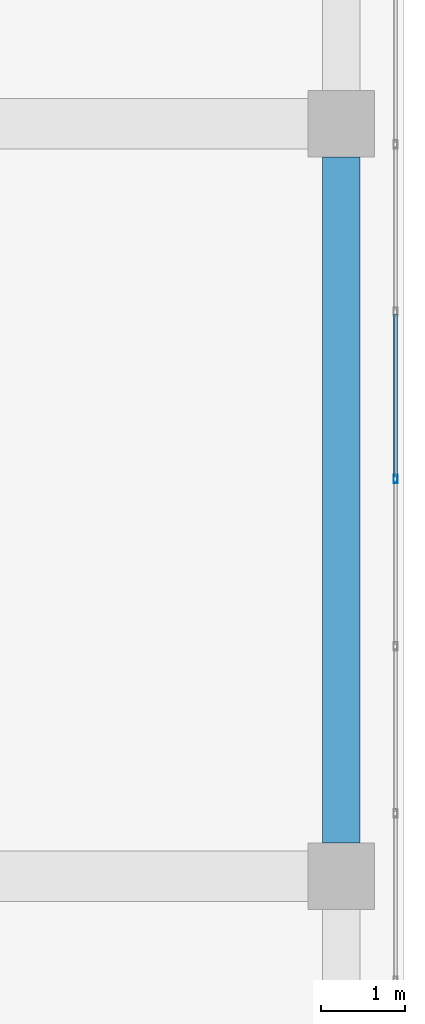
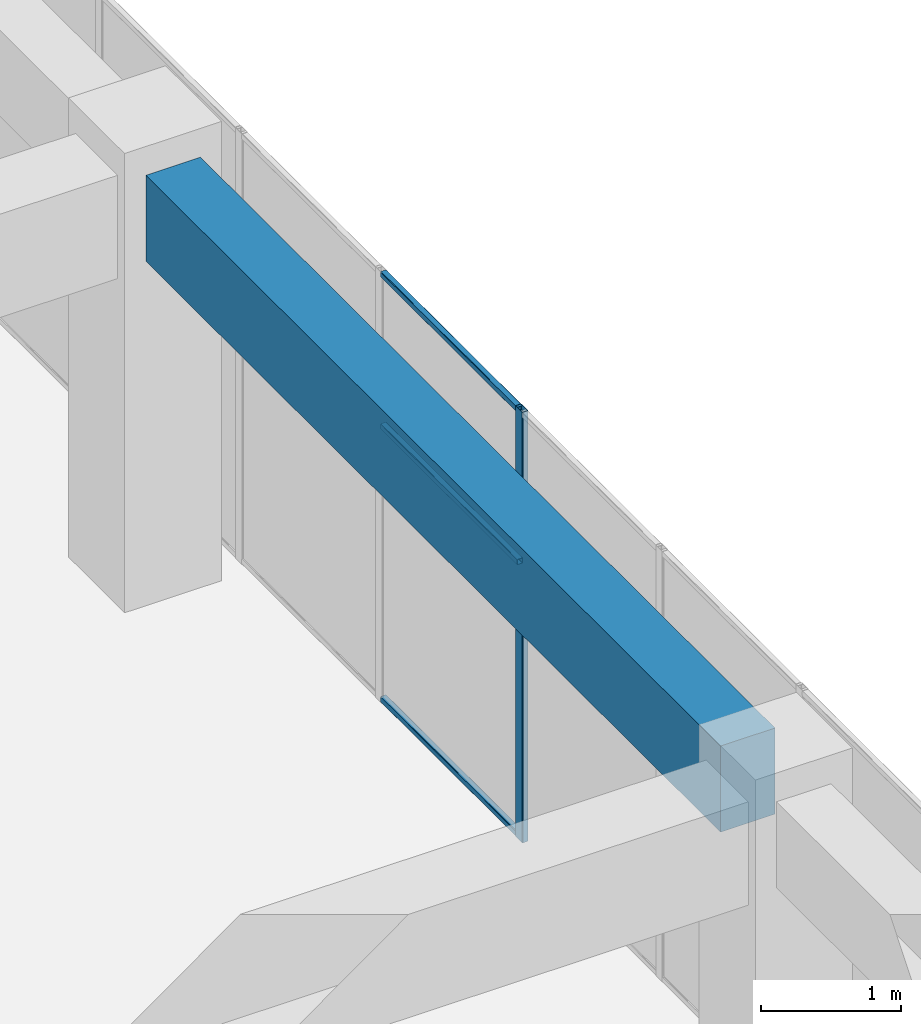
# One storey, part 42 of 66: 4 members, 1 beam, 1 element without a shape of its own.
"""IFC4 building model written with IfcOpenShell, lengths in metres."""

from ifc_helpers import new_model, si_unit, direction, frame, origin, origin_2d, place, context, subcontext, project, spatial, rectangle, hollow_rectangle, extrude, material, layer, layer_set, material_profile, profile_set, type_object, element, aggregate, save


model = new_model("IFC4")

# Units and contexts
model_context = context("Model", 3, precision=1e-05, world=origin(), true_north=direction((0.0, 1.0)))
body_context = subcontext(model_context, "Body", "Model", "MODEL_VIEW")
ifc_project = project(units=[si_unit("LENGTHUNIT", "METRE"), si_unit("AREAUNIT", "SQUARE_METRE"), si_unit("VOLUMEUNIT", "CUBIC_METRE"), si_unit("PLANEANGLEUNIT", "RADIAN"), si_unit("MASSUNIT", "GRAM", prefix="KILO")], contexts=[model_context])

# Site, building, storey
site_placement = place(None, origin())
site = spatial("IfcSite", under=ifc_project, at=site_placement, CompositionType="ELEMENT")
building_placement = place(site_placement, origin())
building = spatial("IfcBuilding", under=site, at=building_placement, Name="Tuart Plaza Theatre", CompositionType="ELEMENT")
storey_placement = place(building_placement, frame((0.0, 0.0, 5.5)))
storey = spatial("IfcBuildingStorey", under=building, at=storey_placement, Name="L01", CompositionType="ELEMENT", Elevation=5.5)

# Beam
ifc_material_1 = material(Name="Concrete N40 (40 MPa)", Category="concrete")
ifc_material_profile_1 = material_profile(ifc_material_1, rectangle(XDim=0.449951171875, YDim=0.75, at=origin_2d()), Name="BEAM 450x750 Concrete N40 (40 MPa)")
ifc_profile_set_1 = profile_set([ifc_material_profile_1], Name="Concrete N40 (40 MPa)")
beam_type = type_object("IfcBeamType", Name="BEAM 450x750 Concrete N40 (40 MPa)", PredefinedType="BEAM", material=ifc_profile_set_1)
beam_placement = place(storey_placement, frame((150.0, 74.39990234375, 3.375), z_axis=(0.0, 1.0, 0.0), x_axis=(-1.0, 0.0, 0.0)))
element("IfcBeam", 1, at=beam_placement, inside=storey, type_object=beam_type, Name="RB200", PredefinedType="BEAM", context=body_context, shape_type="SweptSolid", body=[
    extrude(rectangle(XDim=0.449951171875, YDim=0.75, at=origin_2d()), origin(), (0.0, 0.0, 1.0), 8.2001953125),
])

# Curtain wall, members
ifc_material_2 = material(Name="Aluminium and glass", Category="aluminium")
ifc_layer = layer(ifc_material_2, 0.10009765625)
ifc_layer_set = layer_set([ifc_layer], Name="CURTAIN WALL 2000 module")
curtain_wall_type = type_object("IfcCurtainWallType", Name="CURTAIN WALL 2000 module", PredefinedType="NOTDEFINED", material=ifc_layer_set)
curtain_wall_placement = place(storey_placement, origin())
curtain_wall = element("IfcCurtainWall", 2, at=curtain_wall_placement, inside=storey, type_object=curtain_wall_type, Name="CW69", PredefinedType="NOTDEFINED")
ifc_material_3 = material(Name="Aluminium 6063-T5", Category="aluminium")
ifc_material_profile_2 = material_profile(ifc_material_3, hollow_rectangle(XDim=0.050048828125, YDim=0.10009765625, WallThickness=0.00390625, InnerFilletRadius=0.00390625, OuterFilletRadius=0.008056640625, at=origin_2d()), Name="RHS 100x50x4")
ifc_profile_set_2 = profile_set([ifc_material_profile_2], Name="Aluminium 6063-T5")
member_type_1 = type_object("IfcMemberType", Name="MULLION RHS 100x50x4", PredefinedType="MULLION", material=ifc_profile_set_2)
member_1_placement = place(storey_placement, frame((150.64990234375, 78.75, 0.0), z_axis=(0.0, 0.0, 1.0), x_axis=(-1.0, 0.0, 0.0)))
member_1 = element("IfcMember", 3, at=member_1_placement, type_object=member_type_1, Name="CW69 mullion 15", PredefinedType="MULLION", context=body_context, shape_type="SweptSolid", body=[
    extrude(hollow_rectangle(XDim=0.050048828125, YDim=0.10009765625, WallThickness=0.00390625, InnerFilletRadius=0.00390625, OuterFilletRadius=0.008056640625, at=origin_2d()), origin(), (0.0, 0.0, 1.0), 3.75),
])
ifc_material_4 = material(Name="Aluminium 6063-T5", Category="aluminium")
ifc_material_profile_3 = material_profile(ifc_material_4, hollow_rectangle(XDim=0.050048828125, YDim=0.050048828125, WallThickness=0.00390625, InnerFilletRadius=0.00390625, OuterFilletRadius=0.008056640625, at=origin_2d()), Name="RHS 50x50x4")
ifc_profile_set_3 = profile_set([ifc_material_profile_3], Name="Aluminium 6063-T5")
member_type_2 = type_object("IfcMemberType", Name="TRANSOM RHS 50x50x4", PredefinedType="USERDEFINED", material=ifc_profile_set_3)
member_2_placement = place(storey_placement, frame((150.64990234375, 78.77490234375, 0.02490234375), z_axis=(0.0, 1.0, 0.0), x_axis=(-1.0, 0.0, 0.0)))
member_2 = element("IfcMember", 4, at=member_2_placement, type_object=member_type_2, Name="CW69 transom 15.1", ObjectType="TRANSOM", PredefinedType="USERDEFINED", context=body_context, shape_type="SweptSolid", body=[
    extrude(hollow_rectangle(XDim=0.050048828125, YDim=0.050048828125, WallThickness=0.00390625, InnerFilletRadius=0.00390625, OuterFilletRadius=0.008056640625, at=origin_2d()), origin(), (0.0, 0.0, 1.0), 1.9501953125),
])
member_3_placement = place(storey_placement, frame((150.64990234375, 78.77490234375, 2.39990234375), z_axis=(0.0, 1.0, 0.0), x_axis=(-1.0, 0.0, 0.0)))
member_3 = element("IfcMember", 5, at=member_3_placement, type_object=member_type_2, Name="CW69 transom 15.2", ObjectType="TRANSOM", PredefinedType="USERDEFINED", context=body_context, shape_type="SweptSolid", body=[
    extrude(hollow_rectangle(XDim=0.050048828125, YDim=0.050048828125, WallThickness=0.00390625, InnerFilletRadius=0.00390625, OuterFilletRadius=0.008056640625, at=origin_2d()), origin(), (0.0, 0.0, 1.0), 1.9501953125),
])
member_4_placement = place(storey_placement, frame((150.64990234375, 78.77490234375, 3.72509765625), z_axis=(0.0, 1.0, 0.0), x_axis=(-1.0, 0.0, 0.0)))
member_4 = element("IfcMember", 6, at=member_4_placement, type_object=member_type_2, Name="CW69 transom 15.3", ObjectType="TRANSOM", PredefinedType="USERDEFINED", context=body_context, shape_type="SweptSolid", body=[
    extrude(hollow_rectangle(XDim=0.050048828125, YDim=0.050048828125, WallThickness=0.00390625, InnerFilletRadius=0.00390625, OuterFilletRadius=0.008056640625, at=origin_2d()), origin(), (0.0, 0.0, 1.0), 1.9501953125),
])
aggregate(curtain_wall, [member_1, member_2, member_3, member_4])

save(model, "model.ifc")
